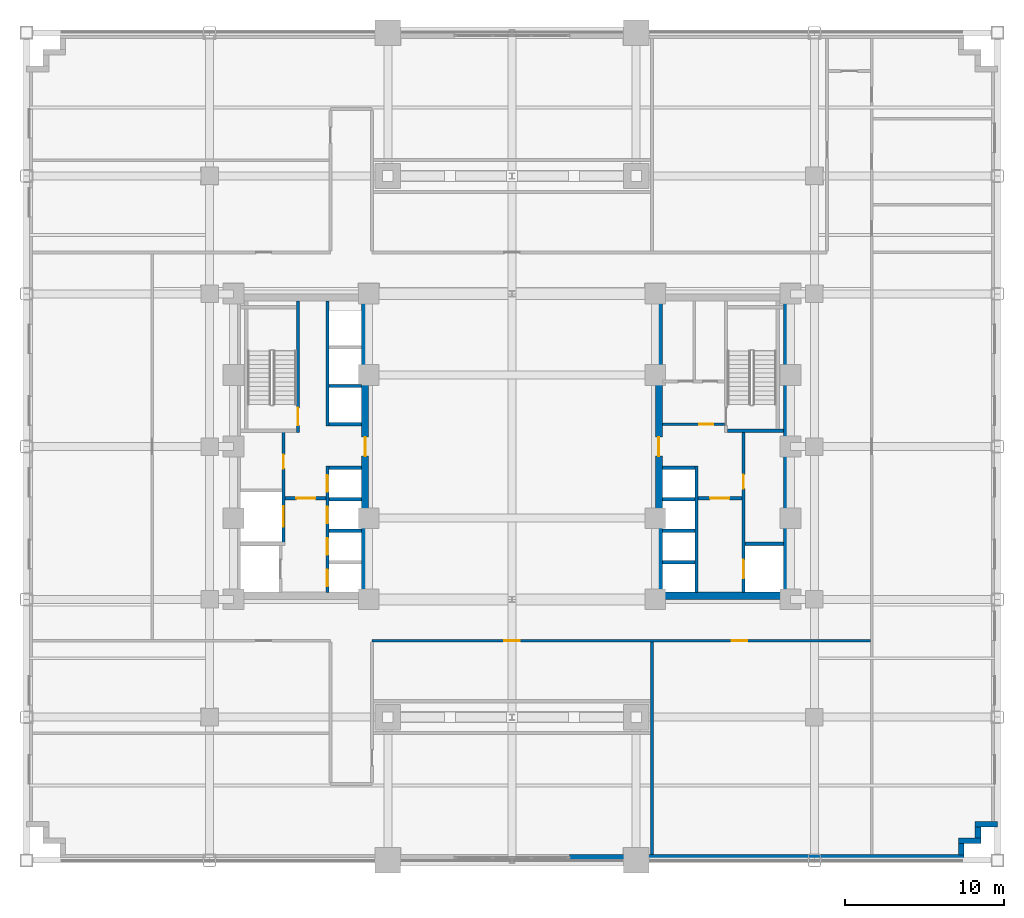
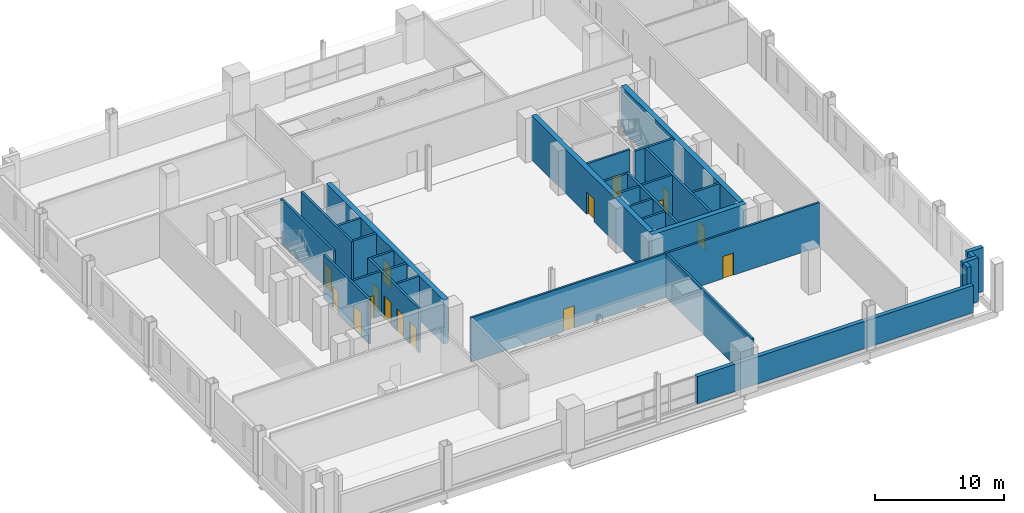
# One storey, part 7 of 17: 31 walls, 16 doors, 16 openings.
"""IFC4 building model written with IfcOpenShell, lengths in metres."""

from ifc_helpers import new_model, si_unit, direction, frame, frame_2d, origin, place, context, subcontext, project, spatial, rectangle, extrude, source, transform, mapped, material, layer, layer_set, type_object, type_shapes, element, fill, save


model = new_model("IFC4")

# Units and contexts
model_context = context("Model", 3, precision=1e-05, world=origin(), true_north=direction((0.0, 1.0)))
body_context = subcontext(model_context, "Body", "Model", "MODEL_VIEW")
ifc_project = project(units=[si_unit("LENGTHUNIT", "METRE"), si_unit("AREAUNIT", "SQUARE_METRE"), si_unit("VOLUMEUNIT", "CUBIC_METRE"), si_unit("PLANEANGLEUNIT", "RADIAN"), si_unit("MASSUNIT", "GRAM", prefix="KILO")], contexts=[model_context])

# Site, building, storey
site_placement = place(None, origin())
site = spatial("IfcSite", under=ifc_project, at=site_placement, CompositionType="ELEMENT")
building_placement = place(site_placement, origin())
building = spatial("IfcBuilding", under=site, at=building_placement, Name="Nuvemarco Arch Tower", CompositionType="ELEMENT")
storey_placement = place(building_placement, frame((0.0, 0.0, 18.39990234375)))
storey = spatial("IfcBuildingStorey", under=building, at=storey_placement, Name="L04", CompositionType="ELEMENT", Elevation=18.39990234375)

# Walls
ifc_material_1 = material(Name="Precast concrete C45/55", Category="concrete")
ifc_layer_1 = layer(ifc_material_1, 0.360107421875, Name="EW-POD-360")
ifc_layer_set_1 = layer_set([ifc_layer_1], Name="Precast concrete C45/55")
wall_type_1 = type_object("IfcWallType", Name="EW-POD-360", PredefinedType="STANDARD", material=ifc_layer_set_1)
wall_1_placement = place(storey_placement, frame((3.60009765625, -25.820068359375, 0.0), z_axis=(0.0, 0.0, 1.0), x_axis=(1.0, 0.0, 0.0)))
element("IfcWall", 1, at=wall_1_placement, inside=storey, type_object=wall_type_1, Name="L04 exterior precast pier wall south right", PredefinedType="STANDARD", context=body_context, shape_type="SweptSolid", body=[
    extrude(rectangle(XDim=24.7998046875, YDim=0.360107421875, at=frame_2d((12.39990234375, 0.0))), origin(), (0.0, 0.0, 1.0), 2.585205078125),
])
wall_2_placement = place(storey_placement, frame((28.219970703125, -25.64404296875, 0.0), z_axis=(0.0, 0.0, 1.0), x_axis=(0.0, 1.0, 0.0)))
element("IfcWall", 2, at=wall_2_placement, inside=storey, type_object=wall_type_1, Name="L04 exterior precast facade wall 2", PredefinedType="STANDARD", context=body_context, shape_type="SweptSolid", body=[
    extrude(rectangle(XDim=0.697998046875, YDim=0.360107421875, at=frame_2d((0.34912109375, 0.0))), origin(), (0.0, 0.0, 1.0), 4.190185546875),
])
wall_3_placement = place(storey_placement, frame((28.0400390625, -24.77001953125, 0.0), z_axis=(0.0, 0.0, 1.0), x_axis=(1.0, 0.0, 0.0)))
element("IfcWall", 3, at=wall_3_placement, inside=storey, type_object=wall_type_1, Name="L04 exterior precast facade wall 3", PredefinedType="STANDARD", context=body_context, shape_type="SweptSolid", body=[
    extrude(rectangle(XDim=1.409912109375, YDim=0.360107421875, at=frame_2d((0.705078125, 0.0))), origin(), (0.0, 0.0, 1.0), 4.190185546875),
])
wall_4_placement = place(storey_placement, frame((29.27001953125, -24.593994140625, 0.0), z_axis=(0.0, 0.0, 1.0), x_axis=(0.0, 1.0, 0.0)))
element("IfcWall", 4, at=wall_4_placement, inside=storey, type_object=wall_type_1, Name="L04 exterior precast facade wall 4", PredefinedType="STANDARD", context=body_context, shape_type="SweptSolid", body=[
    extrude(rectangle(XDim=0.697998046875, YDim=0.360107421875, at=frame_2d((0.34912109375, 0.0))), origin(), (0.0, 0.0, 1.0), 4.190185546875),
])
wall_5_placement = place(storey_placement, frame((29.090087890625, -23.719970703125, 0.0), z_axis=(0.0, 0.0, 1.0), x_axis=(1.0, 0.0, 0.0)))
element("IfcWall", 5, at=wall_5_placement, inside=storey, type_object=wall_type_1, Name="L04 exterior precast facade wall 5", PredefinedType="STANDARD", context=body_context, shape_type="SweptSolid", body=[
    extrude(rectangle(XDim=1.409912109375, YDim=0.360107421875, at=frame_2d((0.705078125, 0.0))), origin(), (0.0, 0.0, 1.0), 4.190185546875),
])

# Wall, opening, door
ifc_material_2 = material(Name="Concrete C60/75", Category="concrete")
ifc_layer_2 = layer(ifc_material_2, 0.449951171875, Name="WL-CORE-450")
ifc_layer_set_2 = layer_set([ifc_layer_2], Name="Concrete C60/75")
wall_type_2 = type_object("IfcWallType", Name="WL-CORE-450", PredefinedType="SHEAR", material=ifc_layer_set_2)
wall_6_placement = place(storey_placement, frame((-9.22509765625, -9.155029296875, 0.0), z_axis=(0.0, 0.0, 1.0), x_axis=(0.0, 1.0, 0.0)))
wall_6 = element("IfcWall", 6, at=wall_6_placement, inside=storey, type_object=wall_type_2, Name="L04 W-core shear wall E", PredefinedType="SHEAR", context=body_context, shape_type="SweptSolid", body=[
    extrude(rectangle(XDim=18.31005859375, YDim=0.449951171875, at=frame_2d((9.155029296875, 0.0))), origin(), (0.0, 0.0, 1.0), 4.2001953125),
])
opening_1_placement = place(wall_6_placement, frame((8.554931640625, 0.0, 0.0)))
opening_1 = element("IfcOpeningElement", 7, at=opening_1_placement, cuts=wall_6, Name="Opening FD-2", PredefinedType="OPENING", context=body_context, shape_type="SweptSolid", body=[
    extrude(rectangle(XDim=1.199951171875, YDim=2.14990234375, at=frame_2d((0.60009765625, 1.074951171875))), frame((0.0, 0.23486328125, 0.0), z_axis=(0.0, -1.0, 0.0), x_axis=(1.0, 0.0, 0.0)), (0.0, 0.0, 1.0), 0.469970703125),
])
ifc_material_3 = material(Name="Anodised steel fire door", Category="steel")
door_type_1 = type_object("IfcDoorType", Name="DR-FFLOB-FD", OperationType="NOTDEFINED", PredefinedType="DOOR", material=ifc_material_3)
shared_shape_1 = source(origin(), body_context, "Body", "SweptSolid", [
    extrude(rectangle(XDim=1.199951171875, YDim=2.14990234375, at=frame_2d((0.60009765625, 1.074951171875))), frame((0.0, 0.02490234375, 0.0), z_axis=(0.0, -1.0, 0.0), x_axis=(1.0, 0.0, 0.0)), (0.0, 0.0, 1.0), 0.050048828125),
])
type_shapes(door_type_1, [shared_shape_1])
door_1_placement = place(opening_1_placement, origin())
door_1 = element("IfcDoor", 8, at=door_1_placement, inside=storey, type_object=door_type_1, Name="L04 door FD-L04-WCORE-E", OperationType="SINGLE_SWING_RIGHT", OverallHeight=2.14990234375, OverallWidth=1.199951171875, PredefinedType="DOOR", context=body_context, shape_type="MappedRepresentation", body=[
    mapped(shared_shape_1, transform((0.0, 0.0, 0.0), scale=1.0)),
])
fill(opening_1, door_1)

# Wall
wall_7_placement = place(storey_placement, frame((9.0, -9.375, 0.0), z_axis=(0.0, 0.0, 1.0), x_axis=(1.0, 0.0, 0.0)))
element("IfcWall", 9, at=wall_7_placement, inside=storey, type_object=wall_type_2, Name="L04 E-core shear wall S", PredefinedType="SHEAR", context=body_context, shape_type="SweptSolid", body=[
    extrude(rectangle(XDim=8.5, YDim=0.449951171875, at=frame_2d((4.25, 0.0))), origin(), (0.0, 0.0, 1.0), 4.2001953125),
])

# Wall, opening, door
wall_8_placement = place(storey_placement, frame((9.22509765625, -9.155029296875, 0.0), z_axis=(0.0, 0.0, 1.0), x_axis=(0.0, 1.0, 0.0)))
wall_8 = element("IfcWall", 10, at=wall_8_placement, inside=storey, type_object=wall_type_2, Name="L04 E-core shear wall W", PredefinedType="SHEAR", context=body_context, shape_type="SweptSolid", body=[
    extrude(rectangle(XDim=18.31005859375, YDim=0.449951171875, at=frame_2d((9.155029296875, 0.0))), origin(), (0.0, 0.0, 1.0), 4.2001953125),
])
opening_2_placement = place(wall_8_placement, frame((8.554931640625, 0.0, 0.0)))
opening_2 = element("IfcOpeningElement", 11, at=opening_2_placement, cuts=wall_8, Name="Opening FD-2", PredefinedType="OPENING", context=body_context, shape_type="SweptSolid", body=[
    extrude(rectangle(XDim=1.199951171875, YDim=2.14990234375, at=frame_2d((0.60009765625, 1.074951171875))), frame((0.0, 0.23486328125, 0.0), z_axis=(0.0, -1.0, 0.0), x_axis=(1.0, 0.0, 0.0)), (0.0, 0.0, 1.0), 0.469970703125),
])
door_2_placement = place(opening_2_placement, origin())
door_2 = element("IfcDoor", 12, at=door_2_placement, inside=storey, type_object=door_type_1, Name="L04 door FD-L04-ECORE-W", OperationType="SINGLE_SWING_LEFT", OverallHeight=2.14990234375, OverallWidth=1.199951171875, PredefinedType="DOOR", context=body_context, shape_type="MappedRepresentation", body=[
    mapped(shared_shape_1, transform((0.0, 0.0, 0.0), scale=1.0)),
])
fill(opening_2, door_2)

# Wall
wall_9_placement = place(storey_placement, frame((17.27490234375, -9.155029296875, 0.0), z_axis=(0.0, 0.0, 1.0), x_axis=(0.0, 1.0, 0.0)))
element("IfcWall", 13, at=wall_9_placement, inside=storey, type_object=wall_type_2, Name="L04 E-core shear wall E", PredefinedType="SHEAR", context=body_context, shape_type="SweptSolid", body=[
    extrude(rectangle(XDim=18.31005859375, YDim=0.449951171875, at=frame_2d((9.155029296875, 0.0))), origin(), (0.0, 0.0, 1.0), 4.2001953125),
])

# Wall, opening, door
ifc_material_4 = material(Name="Fire-rated gypsum drywall partition")
ifc_layer_3 = layer(ifc_material_4, 0.179931640625, Name="WL-CORR-180")
ifc_layer_set_3 = layer_set([ifc_layer_3], Name="Fire-rated gypsum drywall partition")
wall_type_3 = type_object("IfcWallType", Name="WL-CORR-180", PredefinedType="PARTITIONING", material=ifc_layer_set_3)
wall_10_placement = place(storey_placement, frame((9.445068359375, 1.39990234375, 0.0), z_axis=(0.0, 0.0, 1.0), x_axis=(1.0, 0.0, 0.0)))
wall_10 = element("IfcWall", 14, at=wall_10_placement, inside=storey, type_object=wall_type_3, Name="L04 interior wall IW-L04-EK-S", PredefinedType="PARTITIONING", context=body_context, shape_type="SweptSolid", body=[
    extrude(rectangle(XDim=3.89990234375, YDim=0.179931640625, at=frame_2d((1.949951171875, 0.0))), origin(), (0.0, 0.0, 1.0), 4.190185546875),
])
opening_3_placement = place(wall_10_placement, frame((2.31494140625, 0.0, 0.0)))
opening_3 = element("IfcOpeningElement", 15, at=opening_3_placement, cuts=wall_10, Name="Opening FD-4", PredefinedType="OPENING", context=body_context, shape_type="SweptSolid", body=[
    extrude(rectangle(XDim=0.8798828125, YDim=2.10009765625, at=frame_2d((0.43994140625, 1.050048828125))), frame((0.0, 0.099853515625, 0.0), z_axis=(0.0, -1.0, 0.0), x_axis=(1.0, 0.0, 0.0)), (0.0, 0.0, 1.0), 0.199951171875),
])
door_type_2 = type_object("IfcDoorType", Name="DR-RISER-FD", OperationType="NOTDEFINED", PredefinedType="DOOR", material=ifc_material_3)
shared_shape_2 = source(origin(), body_context, "Body", "SweptSolid", [
    extrude(rectangle(XDim=0.8798828125, YDim=2.10009765625, at=frame_2d((0.43994140625, 1.050048828125))), frame((0.0, 0.02490234375, 0.0), z_axis=(0.0, -1.0, 0.0), x_axis=(1.0, 0.0, 0.0)), (0.0, 0.0, 1.0), 0.050048828125),
])
type_shapes(door_type_2, [shared_shape_2])
door_3_placement = place(opening_3_placement, origin())
door_3 = element("IfcDoor", 16, at=door_3_placement, inside=storey, type_object=door_type_2, Name="L04 door FD-L04-EK3A", OperationType="SINGLE_SWING_RIGHT", OverallHeight=2.10009765625, OverallWidth=0.8798828125, PredefinedType="DOOR", context=body_context, shape_type="MappedRepresentation", body=[
    mapped(shared_shape_2, transform((0.0, 0.0, 0.0), scale=1.0)),
])
fill(opening_3, door_3)

# Wall, openings, doors
wall_11_placement = place(storey_placement, frame((-8.800048828125, -12.199951171875, 0.0), z_axis=(0.0, 0.0, 1.0), x_axis=(1.0, 0.0, 0.0)))
wall_11 = element("IfcWall", 17, at=wall_11_placement, inside=storey, type_object=wall_type_3, Name="L04 interior wall IW-L04-006", PredefinedType="PARTITIONING", context=body_context, shape_type="SweptSolid", body=[
    extrude(rectangle(XDim=31.333984375, YDim=0.179931640625, at=frame_2d((15.6669921875, 0.0))), origin(), (0.0, 0.0, 1.0), 4.190185546875),
])
opening_4_placement = place(wall_11_placement, frame((8.320068359375, 0.0, 0.0)))
opening_4 = element("IfcOpeningElement", 18, at=opening_4_placement, cuts=wall_11, Name="Opening FD-5", PredefinedType="OPENING", context=body_context, shape_type="SweptSolid", body=[
    extrude(rectangle(XDim=0.9599609375, YDim=2.10009765625, at=frame_2d((0.47998046875, 1.050048828125))), frame((0.0, 0.099853515625, 0.0), z_axis=(0.0, -1.0, 0.0), x_axis=(1.0, 0.0, 0.0)), (0.0, 0.0, 1.0), 0.199951171875),
])
opening_5_placement = place(wall_11_placement, frame((22.6201171875, 0.0, 0.0)))
opening_5 = element("IfcOpeningElement", 19, at=opening_5_placement, cuts=wall_11, Name="Opening FD-5", PredefinedType="OPENING", context=body_context, shape_type="SweptSolid", body=[
    extrude(rectangle(XDim=0.9599609375, YDim=2.10009765625, at=frame_2d((0.47998046875, 1.050048828125))), frame((0.0, 0.099853515625, 0.0), z_axis=(0.0, -1.0, 0.0), x_axis=(1.0, 0.0, 0.0)), (0.0, 0.0, 1.0), 0.199951171875),
])
ifc_material_5 = material(Name="Timber fire door", Category="wood")
door_type_3 = type_object("IfcDoorType", Name="DR-CORR-FD", OperationType="NOTDEFINED", PredefinedType="DOOR", material=ifc_material_5)
shared_shape_3 = source(origin(), body_context, "Body", "SweptSolid", [
    extrude(rectangle(XDim=0.9599609375, YDim=2.10009765625, at=frame_2d((0.47998046875, 1.050048828125))), frame((0.0, 0.02490234375, 0.0), z_axis=(0.0, -1.0, 0.0), x_axis=(1.0, 0.0, 0.0)), (0.0, 0.0, 1.0), 0.050048828125),
])
type_shapes(door_type_3, [shared_shape_3])
door_4_placement = place(opening_4_placement, origin())
door_4 = element("IfcDoor", 20, at=door_4_placement, inside=storey, type_object=door_type_3, Name="L04 door DR-L04-BRG_SMTG", OperationType="SINGLE_SWING_LEFT", OverallHeight=2.10009765625, OverallWidth=0.9599609375, PredefinedType="DOOR", context=body_context, shape_type="MappedRepresentation", body=[
    mapped(shared_shape_3, transform((0.0, 0.0, 0.0), scale=1.0)),
])
fill(opening_4, door_4)
door_5_placement = place(opening_5_placement, origin())
door_5 = element("IfcDoor", 21, at=door_5_placement, inside=storey, type_object=door_type_3, Name="L04 door DR-L04-BRG_SERV", OperationType="SINGLE_SWING_RIGHT", OverallHeight=2.10009765625, OverallWidth=0.9599609375, PredefinedType="DOOR", context=body_context, shape_type="MappedRepresentation", body=[
    mapped(shared_shape_3, transform((0.0, 0.0, 0.0), scale=1.0)),
])
fill(opening_5, door_5)

# Wall
ifc_layer_4 = layer(ifc_material_1, 0.199951171875, Name="WL-PLANT-200")
ifc_layer_set_4 = layer_set([ifc_layer_4], Name="Precast concrete C45/55")
wall_type_4 = type_object("IfcWallType", Name="WL-PLANT-200", PredefinedType="STANDARD", material=ifc_layer_set_4)
wall_12_placement = place(storey_placement, frame((8.800048828125, -25.639892578125, 0.0), z_axis=(0.0, 0.0, 1.0), x_axis=(0.0, 1.0, 0.0)))
element("IfcWall", 22, at=wall_12_placement, inside=storey, type_object=wall_type_4, Name="L04 interior wall IW-L04-022", PredefinedType="STANDARD", context=body_context, shape_type="SweptSolid", body=[
    extrude(rectangle(XDim=13.35400390625, YDim=0.199951171875, at=frame_2d((6.677001953125, 0.0))), origin(), (0.0, 0.0, 1.0), 4.190185546875),
])

# Wall, opening, door
ifc_material_6 = material(Name="Concrete C50/60", Category="concrete")
ifc_layer_5 = layer(ifc_material_6, 0.199951171875, Name="WL-SHAFT-220")
ifc_layer_set_5 = layer_set([ifc_layer_5], Name="Concrete C50/60")
wall_type_5 = type_object("IfcWallType", Name="WL-SHAFT-220", PredefinedType="SHEAR", material=ifc_layer_set_5)
wall_13_placement = place(storey_placement, frame((-13.43994140625, 0.89990234375, 0.0), z_axis=(0.0, 0.0, 1.0), x_axis=(0.0, 1.0, 0.0)))
wall_13 = element("IfcWall", 23, at=wall_13_placement, inside=storey, type_object=wall_type_5, Name="L04 structural shaft wall SW-L04-W-ST1E", PredefinedType="SHEAR", context=body_context, shape_type="SweptSolid", body=[
    extrude(rectangle(XDim=8.255126953125, YDim=0.199951171875, at=frame_2d((4.12744140625, 0.0))), origin(), (0.0, 0.0, 1.0), 4.2001953125),
])
opening_6_placement = place(wall_13_placement, frame((1.530029296875, 0.0, 0.0), z_axis=(0.0, 0.0, 1.0), x_axis=(-1.0, 0.0, 0.0)))
opening_6 = element("IfcOpeningElement", 24, at=opening_6_placement, cuts=wall_13, Name="Opening FD-1", PredefinedType="OPENING", context=body_context, shape_type="SweptSolid", body=[
    extrude(rectangle(XDim=1.10009765625, YDim=2.14990234375, at=frame_2d((0.550048828125, 1.074951171875))), frame((0.0, 0.10986328125, 0.0), z_axis=(0.0, -1.0, 0.0), x_axis=(1.0, 0.0, 0.0)), (0.0, 0.0, 1.0), 0.219970703125),
])
door_type_4 = type_object("IfcDoorType", Name="DR-STAIR-FD", OperationType="NOTDEFINED", PredefinedType="DOOR", material=ifc_material_3)
shared_shape_4 = source(origin(), body_context, "Body", "SweptSolid", [
    extrude(rectangle(XDim=1.10009765625, YDim=2.14990234375, at=frame_2d((0.550048828125, 1.074951171875))), frame((0.0, 0.02490234375, 0.0), z_axis=(0.0, -1.0, 0.0), x_axis=(1.0, 0.0, 0.0)), (0.0, 0.0, 1.0), 0.050048828125),
])
type_shapes(door_type_4, [shared_shape_4])
door_6_placement = place(opening_6_placement, origin())
door_6 = element("IfcDoor", 25, at=door_6_placement, inside=storey, type_object=door_type_4, Name="L04 door FD-L04-ST1", OperationType="SINGLE_SWING_RIGHT", OverallHeight=2.14990234375, OverallWidth=1.10009765625, PredefinedType="DOOR", context=body_context, shape_type="MappedRepresentation", body=[
    mapped(shared_shape_4, transform((0.0, 0.0, 0.0), scale=1.0)),
])
fill(opening_6, door_6)

# Wall, openings, doors
wall_14_placement = place(storey_placement, frame((-14.35009765625, -6.199951171875, 0.0), z_axis=(0.0, 0.0, 1.0), x_axis=(0.0, 1.0, 0.0)))
wall_14 = element("IfcWall", 26, at=wall_14_placement, inside=storey, type_object=wall_type_5, Name="L04 structural shaft wall SW-L04-W-SVE", PredefinedType="SHEAR", context=body_context, shape_type="SweptSolid", body=[
    extrude(rectangle(XDim=7.10498046875, YDim=0.199951171875, at=frame_2d((3.552490234375, 0.0))), origin(), (0.0, 0.0, 1.0), 4.2001953125),
])
opening_7_placement = place(wall_14_placement, frame((5.68994140625, 0.0, 0.0), z_axis=(0.0, 0.0, 1.0), x_axis=(-1.0, 0.0, 0.0)))
opening_7 = element("IfcOpeningElement", 27, at=opening_7_placement, cuts=wall_14, Name="Opening FD-4", PredefinedType="OPENING", context=body_context, shape_type="SweptSolid", body=[
    extrude(rectangle(XDim=0.8798828125, YDim=2.10009765625, at=frame_2d((0.43994140625, 1.050048828125))), frame((0.0, 0.10986328125, 0.0), z_axis=(0.0, -1.0, 0.0), x_axis=(1.0, 0.0, 0.0)), (0.0, 0.0, 1.0), 0.219970703125),
])
opening_8_placement = place(wall_14_placement, frame((1.14990234375, 0.0, 0.0)))
opening_8 = element("IfcOpeningElement", 28, at=opening_8_placement, cuts=wall_14, Name="Opening LD-3", PredefinedType="OPENING", context=body_context, shape_type="SweptSolid", body=[
    extrude(rectangle(XDim=1.300048828125, YDim=2.199951171875, at=frame_2d((0.64990234375, 1.10009765625))), frame((0.0, 0.10986328125, 0.0), z_axis=(0.0, -1.0, 0.0), x_axis=(1.0, 0.0, 0.0)), (0.0, 0.0, 1.0), 0.219970703125),
])
door_7_placement = place(opening_7_placement, origin())
door_7 = element("IfcDoor", 29, at=door_7_placement, inside=storey, type_object=door_type_2, Name="L04 door FD-L04-WRIS", OperationType="SINGLE_SWING_RIGHT", OverallHeight=2.10009765625, OverallWidth=0.8798828125, PredefinedType="DOOR", context=body_context, shape_type="MappedRepresentation", body=[
    mapped(shared_shape_2, transform((0.0, 0.0, 0.0), scale=1.0)),
])
fill(opening_7, door_7)
ifc_material_7 = material(Name="Stainless steel lift door", Category="steel")
door_type_5 = type_object("IfcDoorType", Name="DR-LIFT-SERV", OperationType="DOUBLE_DOOR_SLIDING", PredefinedType="DOOR", material=ifc_material_7)
shared_shape_5 = source(origin(), body_context, "Body", "SweptSolid", [
    extrude(rectangle(XDim=1.300048828125, YDim=2.199951171875, at=frame_2d((0.64990234375, 1.10009765625))), frame((0.0, 0.02490234375, 0.0), z_axis=(0.0, -1.0, 0.0), x_axis=(1.0, 0.0, 0.0)), (0.0, 0.0, 1.0), 0.050048828125),
])
type_shapes(door_type_5, [shared_shape_5])
door_8_placement = place(opening_8_placement, origin())
door_8 = element("IfcDoor", 30, at=door_8_placement, inside=storey, type_object=door_type_5, Name="L04 Lift landing sliding door SVL-1", OperationType="DOUBLE_DOOR_SLIDING", OverallHeight=2.199951171875, OverallWidth=1.300048828125, PredefinedType="DOOR", context=body_context, shape_type="MappedRepresentation", body=[
    mapped(shared_shape_5, transform((0.0, 0.0, 0.0), scale=1.0)),
])
fill(opening_8, door_8)

wall_15_placement = place(storey_placement, frame((-11.60009765625, -9.155029296875, 0.0), z_axis=(0.0, 0.0, 1.0), x_axis=(0.0, 1.0, 0.0)))
wall_15 = element("IfcWall", 31, at=wall_15_placement, inside=storey, type_object=wall_type_5, Name="L04 structural shaft wall SW-L04-W-PLW", PredefinedType="SHEAR", context=body_context, shape_type="SweptSolid", body=[
    extrude(rectangle(XDim=7.925048828125, YDim=0.199951171875, at=frame_2d((3.96240234375, 0.0))), origin(), (0.0, 0.0, 1.0), 4.2001953125),
])
opening_9_placement = place(wall_15_placement, frame((0.3701171875, 0.0, 0.0)))
opening_9 = element("IfcOpeningElement", 32, at=opening_9_placement, cuts=wall_15, Name="Opening LD-1", PredefinedType="OPENING", context=body_context, shape_type="SweptSolid", body=[
    extrude(rectangle(XDim=1.050048828125, YDim=2.14990234375, at=frame_2d((0.52490234375, 1.074951171875))), frame((0.0, 0.10986328125, 0.0), z_axis=(0.0, -1.0, 0.0), x_axis=(1.0, 0.0, 0.0)), (0.0, 0.0, 1.0), 0.219970703125),
])
opening_10_placement = place(wall_15_placement, frame((2.35009765625, 0.0, 0.0)))
opening_10 = element("IfcOpeningElement", 33, at=opening_10_placement, cuts=wall_15, Name="Opening LD-1", PredefinedType="OPENING", context=body_context, shape_type="SweptSolid", body=[
    extrude(rectangle(XDim=1.050048828125, YDim=2.14990234375, at=frame_2d((0.52490234375, 1.074951171875))), frame((0.0, 0.10986328125, 0.0), z_axis=(0.0, -1.0, 0.0), x_axis=(1.0, 0.0, 0.0)), (0.0, 0.0, 1.0), 0.219970703125),
])
opening_11_placement = place(wall_15_placement, frame((4.330078125, 0.0, 0.0)))
opening_11 = element("IfcOpeningElement", 34, at=opening_11_placement, cuts=wall_15, Name="Opening LD-1", PredefinedType="OPENING", context=body_context, shape_type="SweptSolid", body=[
    extrude(rectangle(XDim=1.050048828125, YDim=2.14990234375, at=frame_2d((0.52490234375, 1.074951171875))), frame((0.0, 0.10986328125, 0.0), z_axis=(0.0, -1.0, 0.0), x_axis=(1.0, 0.0, 0.0)), (0.0, 0.0, 1.0), 0.219970703125),
])
opening_12_placement = place(wall_15_placement, frame((6.31005859375, 0.0, 0.0)))
opening_12 = element("IfcOpeningElement", 35, at=opening_12_placement, cuts=wall_15, Name="Opening LD-1", PredefinedType="OPENING", context=body_context, shape_type="SweptSolid", body=[
    extrude(rectangle(XDim=1.050048828125, YDim=2.14990234375, at=frame_2d((0.52490234375, 1.074951171875))), frame((0.0, 0.10986328125, 0.0), z_axis=(0.0, -1.0, 0.0), x_axis=(1.0, 0.0, 0.0)), (0.0, 0.0, 1.0), 0.219970703125),
])
door_type_6 = type_object("IfcDoorType", Name="DR-LIFT-PASS", OperationType="DOUBLE_DOOR_SLIDING", PredefinedType="DOOR", material=ifc_material_7)
shared_shape_6 = source(origin(), body_context, "Body", "SweptSolid", [
    extrude(rectangle(XDim=1.050048828125, YDim=2.14990234375, at=frame_2d((0.52490234375, 1.074951171875))), frame((0.0, 0.02490234375, 0.0), z_axis=(0.0, -1.0, 0.0), x_axis=(1.0, 0.0, 0.0)), (0.0, 0.0, 1.0), 0.050048828125),
])
type_shapes(door_type_6, [shared_shape_6])
door_9_placement = place(opening_9_placement, origin())
door_9 = element("IfcDoor", 36, at=door_9_placement, inside=storey, type_object=door_type_6, Name="L04 Lift landing sliding door PL-1", OperationType="DOUBLE_DOOR_SLIDING", OverallHeight=2.14990234375, OverallWidth=1.050048828125, PredefinedType="DOOR", context=body_context, shape_type="MappedRepresentation", body=[
    mapped(shared_shape_6, transform((0.0, 0.0, 0.0), scale=1.0)),
])
fill(opening_9, door_9)
door_10_placement = place(opening_10_placement, origin())
door_10 = element("IfcDoor", 37, at=door_10_placement, inside=storey, type_object=door_type_6, Name="L04 Lift landing sliding door PL-2", OperationType="DOUBLE_DOOR_SLIDING", OverallHeight=2.14990234375, OverallWidth=1.050048828125, PredefinedType="DOOR", context=body_context, shape_type="MappedRepresentation", body=[
    mapped(shared_shape_6, transform((0.0, 0.0, 0.0), scale=1.0)),
])
fill(opening_10, door_10)
door_11_placement = place(opening_11_placement, origin())
door_11 = element("IfcDoor", 38, at=door_11_placement, inside=storey, type_object=door_type_6, Name="L04 Lift landing sliding door PL-3", OperationType="DOUBLE_DOOR_SLIDING", OverallHeight=2.14990234375, OverallWidth=1.050048828125, PredefinedType="DOOR", context=body_context, shape_type="MappedRepresentation", body=[
    mapped(shared_shape_6, transform((0.0, 0.0, 0.0), scale=1.0)),
])
fill(opening_11, door_11)
door_12_placement = place(opening_12_placement, origin())
door_12 = element("IfcDoor", 39, at=door_12_placement, inside=storey, type_object=door_type_6, Name="L04 Lift landing sliding door PL-4", OperationType="DOUBLE_DOOR_SLIDING", OverallHeight=2.14990234375, OverallWidth=1.050048828125, PredefinedType="DOOR", context=body_context, shape_type="MappedRepresentation", body=[
    mapped(shared_shape_6, transform((0.0, 0.0, 0.0), scale=1.0)),
])
fill(opening_12, door_12)

# Wall, opening, door
wall_16_placement = place(storey_placement, frame((-14.2548828125, -3.25, 0.0), z_axis=(0.0, 0.0, 1.0), x_axis=(1.0, 0.0, 0.0)))
wall_16 = element("IfcWall", 40, at=wall_16_placement, inside=storey, type_object=wall_type_5, Name="L04 structural shaft wall SW-L04-W-FFN", PredefinedType="SHEAR", context=body_context, shape_type="SweptSolid", body=[
    extrude(rectangle(XDim=2.559814453125, YDim=0.199951171875, at=frame_2d((1.27978515625, 0.0))), origin(), (0.0, 0.0, 1.0), 4.2001953125),
])
opening_13_placement = place(wall_16_placement, frame((0.705078125, 0.0, 0.0)))
opening_13 = element("IfcOpeningElement", 41, at=opening_13_placement, cuts=wall_16, Name="Opening FD-2", PredefinedType="OPENING", context=body_context, shape_type="SweptSolid", body=[
    extrude(rectangle(XDim=1.199951171875, YDim=2.14990234375, at=frame_2d((0.60009765625, 1.074951171875))), frame((0.0, 0.10986328125, 0.0), z_axis=(0.0, -1.0, 0.0), x_axis=(1.0, 0.0, 0.0)), (0.0, 0.0, 1.0), 0.219970703125),
])
door_13_placement = place(opening_13_placement, origin())
door_13 = element("IfcDoor", 42, at=door_13_placement, inside=storey, type_object=door_type_1, Name="L04 door FD-L04-WFF1", OperationType="SINGLE_SWING_RIGHT", OverallHeight=2.14990234375, OverallWidth=1.199951171875, PredefinedType="DOOR", context=body_context, shape_type="MappedRepresentation", body=[
    mapped(shared_shape_1, transform((0.0, 0.0, 0.0), scale=1.0)),
])
fill(opening_13, door_13)

# Walls
for number, where, z_axis, x_axis, name in (
    (43, (-11.5048828125, -5.2900390625, 0.0), (0.0, 0.0, 1.0), (1.0, 0.0, 0.0), "L04 structural shaft wall SW-L04-W-PLD2"),
    (44, (-11.5048828125, -3.31005859375, 0.0), (0.0, 0.0, 1.0), (1.0, 0.0, 0.0), "L04 structural shaft wall SW-L04-W-PLD3"),
    (45, (-11.5048828125, -1.330078125, 0.0), (0.0, 0.0, 1.0), (1.0, 0.0, 0.0), "L04 structural shaft wall SW-L04-W-PLD4"),
):
    element("IfcWall", number, at=place(storey_placement, frame(where, z_axis=z_axis, x_axis=x_axis)), inside=storey, type_object=wall_type_5, Name=name, PredefinedType="SHEAR", context=body_context, shape_type="SweptSolid", body=[
        extrude(rectangle(XDim=2.059814453125, YDim=0.199951171875, at=frame_2d((1.02978515625, 0.0))), origin(), (0.0, 0.0, 1.0), 4.2001953125),
    ])
wall_17_placement = place(storey_placement, frame((-11.60009765625, 1.300048828125, 0.0), z_axis=(0.0, 0.0, 1.0), x_axis=(0.0, 1.0, 0.0)))
element("IfcWall", 46, at=wall_17_placement, inside=storey, type_object=wall_type_5, Name="L04 structural shaft wall SW-L04-W-PHW", PredefinedType="SHEAR", context=body_context, shape_type="SweptSolid", body=[
    extrude(rectangle(XDim=7.85498046875, YDim=0.199951171875, at=frame_2d((3.927490234375, 0.0))), origin(), (0.0, 0.0, 1.0), 4.2001953125),
])
for number, where, z_axis, x_axis, name in (
    (47, (-11.5048828125, 1.39990234375, 0.0), (0.0, 0.0, 1.0), (1.0, 0.0, 0.0), "L04 structural shaft wall SW-L04-W-PHD1"),
    (48, (-11.5048828125, 3.800048828125, 0.0), (0.0, 0.0, 1.0), (1.0, 0.0, 0.0), "L04 structural shaft wall SW-L04-W-PHD2"),
):
    element("IfcWall", number, at=place(storey_placement, frame(where, z_axis=z_axis, x_axis=x_axis)), inside=storey, type_object=wall_type_5, Name=name, PredefinedType="SHEAR", context=body_context, shape_type="SweptSolid", body=[
        extrude(rectangle(XDim=2.059814453125, YDim=0.199951171875, at=frame_2d((1.02978515625, 0.0))), origin(), (0.0, 0.0, 1.0), 4.2001953125),
    ])
wall_18_placement = place(storey_placement, frame((13.534912109375, 1.0, 0.0), z_axis=(0.0, 0.0, 1.0), x_axis=(1.0, 0.0, 0.0)))
element("IfcWall", 49, at=wall_18_placement, inside=storey, type_object=wall_type_5, Name="L04 structural shaft wall SW-L04-E-ST2S", PredefinedType="SHEAR", context=body_context, shape_type="SweptSolid", body=[
    extrude(rectangle(XDim=3.52001953125, YDim=0.199951171875, at=frame_2d((1.760009765625, 0.0))), origin(), (0.0, 0.0, 1.0), 4.2001953125),
])

# Wall, openings, doors
wall_19_placement = place(storey_placement, frame((14.550048828125, -9.155029296875, 0.0), z_axis=(0.0, 0.0, 1.0), x_axis=(0.0, 1.0, 0.0)))
wall_19 = element("IfcWall", 50, at=wall_19_placement, inside=storey, type_object=wall_type_5, Name="L04 structural shaft wall SW-L04-E-SHW", PredefinedType="SHEAR", context=body_context, shape_type="SweptSolid", body=[
    extrude(rectangle(XDim=10.06005859375, YDim=0.199951171875, at=frame_2d((5.030029296875, 0.0))), origin(), (0.0, 0.0, 1.0), 4.2001953125),
])
opening_14_placement = place(wall_19_placement, frame((6.514892578125, 0.0, 0.0)))
opening_14 = element("IfcOpeningElement", 51, at=opening_14_placement, cuts=wall_19, Name="Opening FD-4", PredefinedType="OPENING", context=body_context, shape_type="SweptSolid", body=[
    extrude(rectangle(XDim=0.8798828125, YDim=2.10009765625, at=frame_2d((0.43994140625, 1.050048828125))), frame((0.0, 0.10986328125, 0.0), z_axis=(0.0, -1.0, 0.0), x_axis=(1.0, 0.0, 0.0)), (0.0, 0.0, 1.0), 0.219970703125),
])
opening_15_placement = place(wall_19_placement, frame((0.8798828125, 0.0, 0.0)))
opening_15 = element("IfcOpeningElement", 52, at=opening_15_placement, cuts=wall_19, Name="Opening LD-2", PredefinedType="OPENING", context=body_context, shape_type="SweptSolid", body=[
    extrude(rectangle(XDim=1.14990234375, YDim=2.14990234375, at=frame_2d((0.574951171875, 1.074951171875))), frame((0.0, 0.10986328125, 0.0), z_axis=(0.0, -1.0, 0.0), x_axis=(1.0, 0.0, 0.0)), (0.0, 0.0, 1.0), 0.219970703125),
])
door_14_placement = place(opening_14_placement, origin())
door_14 = element("IfcDoor", 53, at=door_14_placement, inside=storey, type_object=door_type_2, Name="L04 door FD-L04-ERIS", OperationType="SINGLE_SWING_LEFT", OverallHeight=2.10009765625, OverallWidth=0.8798828125, PredefinedType="DOOR", context=body_context, shape_type="MappedRepresentation", body=[
    mapped(shared_shape_2, transform((0.0, 0.0, 0.0), scale=1.0)),
])
fill(opening_14, door_14)
door_type_7 = type_object("IfcDoorType", Name="DR-LIFT-FIRE", OperationType="DOUBLE_DOOR_SLIDING", PredefinedType="DOOR", material=ifc_material_7)
shared_shape_7 = source(origin(), body_context, "Body", "SweptSolid", [
    extrude(rectangle(XDim=1.14990234375, YDim=2.14990234375, at=frame_2d((0.574951171875, 1.074951171875))), frame((0.0, 0.02490234375, 0.0), z_axis=(0.0, -1.0, 0.0), x_axis=(1.0, 0.0, 0.0)), (0.0, 0.0, 1.0), 0.050048828125),
])
type_shapes(door_type_7, [shared_shape_7])
door_15_placement = place(opening_15_placement, origin())
door_15 = element("IfcDoor", 54, at=door_15_placement, inside=storey, type_object=door_type_7, Name="L04 Lift landing sliding door FFL-2", OperationType="DOUBLE_DOOR_SLIDING", OverallHeight=2.14990234375, OverallWidth=1.14990234375, PredefinedType="DOOR", context=body_context, shape_type="MappedRepresentation", body=[
    mapped(shared_shape_7, transform((0.0, 0.0, 0.0), scale=1.0)),
])
fill(opening_15, door_15)

# Walls
wall_20_placement = place(storey_placement, frame((14.64501953125, -6.10009765625, 0.0), z_axis=(0.0, 0.0, 1.0), x_axis=(1.0, 0.0, 0.0)))
element("IfcWall", 55, at=wall_20_placement, inside=storey, type_object=wall_type_5, Name="L04 structural shaft wall SW-L04-E-SH1", PredefinedType="SHEAR", context=body_context, shape_type="SweptSolid", body=[
    extrude(rectangle(XDim=2.409912109375, YDim=0.199951171875, at=frame_2d((1.205078125, 0.0))), origin(), (0.0, 0.0, 1.0), 4.2001953125),
])
wall_21_placement = place(storey_placement, frame((11.60009765625, -9.155029296875, 0.0), z_axis=(0.0, 0.0, 1.0), x_axis=(0.0, 1.0, 0.0)))
element("IfcWall", 56, at=wall_21_placement, inside=storey, type_object=wall_type_5, Name="L04 structural shaft wall SW-L04-E-PME", PredefinedType="SHEAR", context=body_context, shape_type="SweptSolid", body=[
    extrude(rectangle(XDim=7.925048828125, YDim=0.199951171875, at=frame_2d((3.96240234375, 0.0))), origin(), (0.0, 0.0, 1.0), 4.2001953125),
])

# Wall, opening, door
wall_22_placement = place(storey_placement, frame((11.695068359375, -3.25, 0.0), z_axis=(0.0, 0.0, 1.0), x_axis=(1.0, 0.0, 0.0)))
wall_22 = element("IfcWall", 57, at=wall_22_placement, inside=storey, type_object=wall_type_5, Name="L04 structural shaft wall SW-L04-E-FFN", PredefinedType="SHEAR", context=body_context, shape_type="SweptSolid", body=[
    extrude(rectangle(XDim=2.760009765625, YDim=0.199951171875, at=frame_2d((1.3798828125, 0.0))), origin(), (0.0, 0.0, 1.0), 4.2001953125),
])
opening_16_placement = place(wall_22_placement, frame((0.7548828125, 0.0, 0.0)))
opening_16 = element("IfcOpeningElement", 58, at=opening_16_placement, cuts=wall_22, Name="Opening FD-2", PredefinedType="OPENING", context=body_context, shape_type="SweptSolid", body=[
    extrude(rectangle(XDim=1.199951171875, YDim=2.14990234375, at=frame_2d((0.60009765625, 1.074951171875))), frame((0.0, 0.10986328125, 0.0), z_axis=(0.0, -1.0, 0.0), x_axis=(1.0, 0.0, 0.0)), (0.0, 0.0, 1.0), 0.219970703125),
])
door_16_placement = place(opening_16_placement, origin())
door_16 = element("IfcDoor", 59, at=door_16_placement, inside=storey, type_object=door_type_1, Name="L04 door FD-L04-EFF2", OperationType="SINGLE_SWING_LEFT", OverallHeight=2.14990234375, OverallWidth=1.199951171875, PredefinedType="DOOR", context=body_context, shape_type="MappedRepresentation", body=[
    mapped(shared_shape_1, transform((0.0, 0.0, 0.0), scale=1.0)),
])
fill(opening_16, door_16)

# Walls
for number, where, z_axis, x_axis, name in (
    (60, (9.445068359375, -7.27001953125, 0.0), (0.0, 0.0, 1.0), (1.0, 0.0, 0.0), "L04 structural shaft wall SW-L04-E-PMD1"),
    (61, (9.445068359375, -5.2900390625, 0.0), (0.0, 0.0, 1.0), (1.0, 0.0, 0.0), "L04 structural shaft wall SW-L04-E-PMD2"),
    (62, (9.445068359375, -3.31005859375, 0.0), (0.0, 0.0, 1.0), (1.0, 0.0, 0.0), "L04 structural shaft wall SW-L04-E-PMD3"),
    (63, (9.445068359375, -1.330078125, 0.0), (0.0, 0.0, 1.0), (1.0, 0.0, 0.0), "L04 structural shaft wall SW-L04-E-PMD4"),
):
    element("IfcWall", number, at=place(storey_placement, frame(where, z_axis=z_axis, x_axis=x_axis)), inside=storey, type_object=wall_type_5, Name=name, PredefinedType="SHEAR", context=body_context, shape_type="SweptSolid", body=[
        extrude(rectangle(XDim=2.059814453125, YDim=0.199951171875, at=frame_2d((1.02978515625, 0.0))), origin(), (0.0, 0.0, 1.0), 4.2001953125),
    ])

save(model, "model.ifc")
